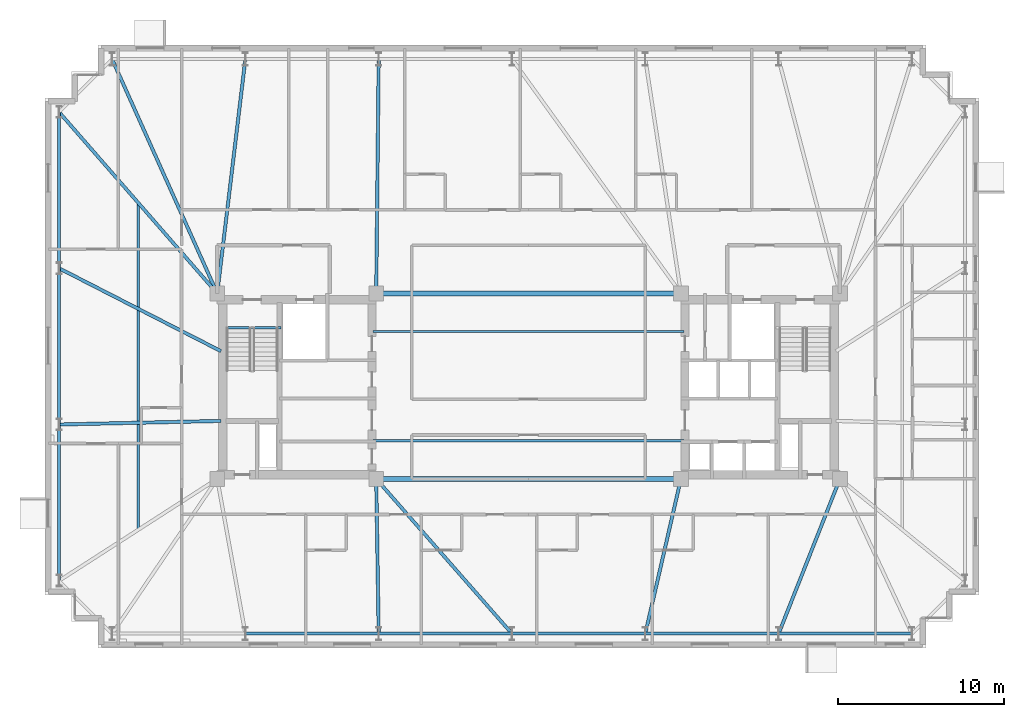
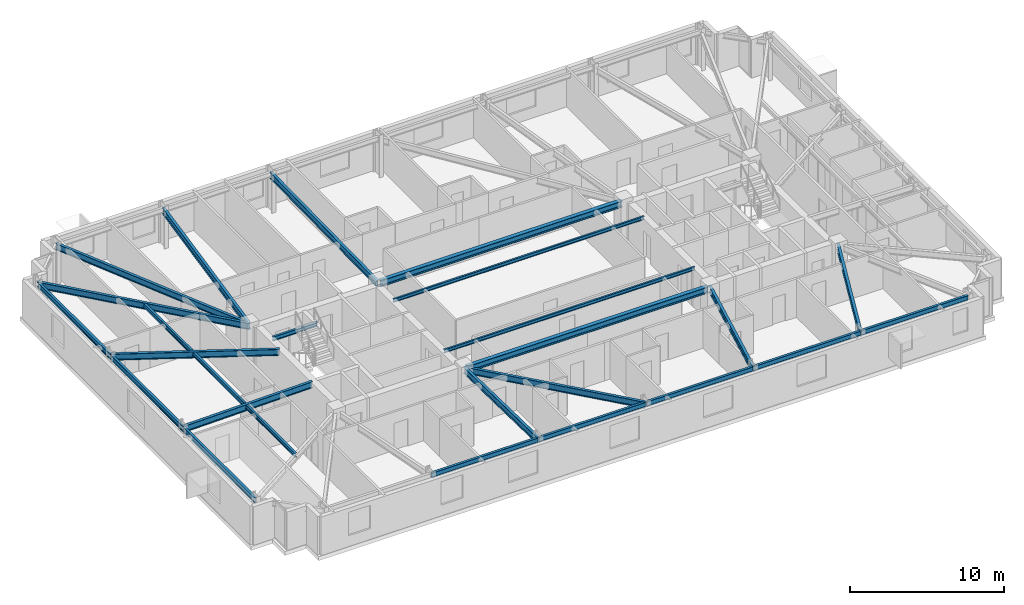
# One storey, part 4 of 17: 24 beams.
"""IFC4 building model written with IfcOpenShell, lengths in metres."""

from ifc_helpers import new_model, si_unit, direction, frame, origin, origin_2d, place, context, subcontext, project, spatial, i_section, extrude, material, material_profile, profile_set, type_object, element, save


model = new_model("IFC4")

# Units and contexts
model_context = context("Model", 3, precision=1e-05, world=origin(), true_north=direction((0.0, 1.0)))
body_context = subcontext(model_context, "Body", "Model", "MODEL_VIEW")
ifc_project = project(units=[si_unit("LENGTHUNIT", "METRE"), si_unit("AREAUNIT", "SQUARE_METRE"), si_unit("VOLUMEUNIT", "CUBIC_METRE"), si_unit("PLANEANGLEUNIT", "RADIAN"), si_unit("MASSUNIT", "GRAM", prefix="KILO")], contexts=[model_context])

# Site, building, storey
site_placement = place(None, origin())
site = spatial("IfcSite", under=ifc_project, at=site_placement, CompositionType="ELEMENT")
building_placement = place(site_placement, origin())
building = spatial("IfcBuilding", under=site, at=building_placement, Name="Qobustan Lattice House", CompositionType="ELEMENT")
storey_placement = place(building_placement, frame((0.0, 0.0, 157.800048828125)))
storey = spatial("IfcBuildingStorey", under=building, at=storey_placement, Name="L44", CompositionType="ELEMENT", Elevation=157.800048828125)

# Beams
ifc_material_1 = material(Name="Steel S355", Category="steel")
ifc_material_profile_1 = material_profile(ifc_material_1, i_section(OverallWidth=0.300048828125, OverallDepth=0.5, WebThickness=0.014404296875, FlangeThickness=0.028076171875, FilletRadius=0.027099609375, at=origin_2d()), Name="HEB500")
ifc_profile_set_1 = profile_set([ifc_material_profile_1], Name="Steel S355")
beam_type_1 = type_object("IfcBeamType", Name="BM-CG-HEB500", PredefinedType="USERDEFINED", material=ifc_profile_set_1)
for number, where, z_axis, x_axis, name in (
    (1, (-9.050048828125, -5.60009765625, 2.7900390625), (1.0, 0.0, 0.0), (0.0, 1.0, 0.0), "L44 core spine girder CG-CS"),
    (2, (-9.050048828125, 5.60009765625, 2.7900390625), (1.0, 0.0, 0.0), (0.0, 1.0, 0.0), "L44 core spine girder CG-CN"),
):
    element("IfcBeam", number, at=place(storey_placement, frame(where, z_axis=z_axis, x_axis=x_axis)), inside=storey, type_object=beam_type_1, Name=name, ObjectType="GIRDER", PredefinedType="USERDEFINED", context=body_context, shape_type="SweptSolid", body=[
        extrude(i_section(OverallWidth=0.300048828125, OverallDepth=0.5, WebThickness=0.014404296875, FlangeThickness=0.028076171875, FilletRadius=0.027099609375, at=origin_2d()), origin(), (0.0, 0.0, 1.0), 18.10009765625),
    ])
ifc_material_2 = material(Name="Steel S355", Category="steel")
ifc_material_profile_2 = material_profile(ifc_material_2, i_section(OverallWidth=0.199951171875, OverallDepth=0.5, WebThickness=0.01025390625, FlangeThickness=0.01611328125, FilletRadius=0.02099609375, at=origin_2d()), Name="IPE500")
ifc_profile_set_2 = profile_set([ifc_material_profile_2], Name="Steel S355")
beam_type_2 = type_object("IfcBeamType", Name="BM-FLG-IPE500", PredefinedType="USERDEFINED", material=ifc_profile_set_2)
beam_1_placement = place(storey_placement, frame((-9.05029296875, -14.925048828125, 2.7900390625), z_axis=(-0.016063870849, 0.999870967702, 0.0), x_axis=(-0.999870967702, -0.016063870849, 0.0)))
element("IfcBeam", 3, at=beam_1_placement, inside=storey, type_object=beam_type_2, Name="L44 primary floor girder RAD-S3", ObjectType="GIRDER", PredefinedType="USERDEFINED", context=body_context, shape_type="SweptSolid", body=[
    extrude(i_section(OverallWidth=0.199951171875, OverallDepth=0.5, WebThickness=0.01025390625, FlangeThickness=0.01611328125, FilletRadius=0.02099609375, at=origin_2d()), origin(), (0.0, 0.0, 1.0), 9.30126953125),
])
beam_2_placement = place(storey_placement, frame((-1.0166015625, -14.93115234375, 2.7900390625), z_axis=(-0.659362380156, 0.751825279992, 0.0), x_axis=(-0.751825279992, -0.659362380156, 0.0)))
element("IfcBeam", 4, at=beam_2_placement, inside=storey, type_object=beam_type_2, Name="L44 primary floor girder RAD-S4", ObjectType="GIRDER", PredefinedType="USERDEFINED", context=body_context, shape_type="SweptSolid", body=[
    extrude(i_section(OverallWidth=0.199951171875, OverallDepth=0.5, WebThickness=0.01025390625, FlangeThickness=0.01611328125, FilletRadius=0.02099609375, at=origin_2d()), origin(), (0.0, 0.0, 1.0), 12.38623046875),
])
beam_3_placement = place(storey_placement, frame((7.0556640625, -14.925537109375, 2.7900390625), z_axis=(0.224091568854, 0.974568093449, 0.0), x_axis=(-0.974568093449, 0.224091568854, 0.0)))
element("IfcBeam", 5, at=beam_3_placement, inside=storey, type_object=beam_type_2, Name="L44 primary floor girder RAD-S5", ObjectType="GIRDER", PredefinedType="USERDEFINED", context=body_context, shape_type="SweptSolid", body=[
    extrude(i_section(OverallWidth=0.199951171875, OverallDepth=0.5, WebThickness=0.01025390625, FlangeThickness=0.01611328125, FilletRadius=0.02099609375, at=origin_2d()), origin(), (0.0, 0.0, 1.0), 9.543701171875),
])
beam_4_placement = place(storey_placement, frame((15.109130859375, -14.9267578125, 2.7900390625), z_axis=(0.367963628184, 0.929840184297, 0.0), x_axis=(-0.929840184297, 0.367963628184, 0.0)))
element("IfcBeam", 6, at=beam_4_placement, inside=storey, type_object=beam_type_2, Name="L44 primary floor girder RAD-S6", ObjectType="GIRDER", PredefinedType="USERDEFINED", context=body_context, shape_type="SweptSolid", body=[
    extrude(i_section(OverallWidth=0.199951171875, OverallDepth=0.5, WebThickness=0.01025390625, FlangeThickness=0.01611328125, FilletRadius=0.02099609375, at=origin_2d()), origin(), (0.0, 0.0, 1.0), 10.00537109375),
])
beam_5_placement = place(storey_placement, frame((-25.139892578125, 19.727294921875, 2.7900390625), z_axis=(0.409426782108, -0.912342978321, 0.0), x_axis=(0.912342978321, 0.409426782108, 0.0)))
element("IfcBeam", 7, at=beam_5_placement, inside=storey, type_object=beam_type_2, Name="L44 primary floor girder RAD-N7W", ObjectType="GIRDER", PredefinedType="USERDEFINED", context=body_context, shape_type="SweptSolid", body=[
    extrude(i_section(OverallWidth=0.199951171875, OverallDepth=0.5, WebThickness=0.01025390625, FlangeThickness=0.01611328125, FilletRadius=0.02099609375, at=origin_2d()), origin(), (0.0, 0.0, 1.0), 15.459716796875),
])
beam_6_placement = place(storey_placement, frame((-17.10302734375, 19.72509765625, 2.7900390625), z_axis=(-0.119287572963, -0.992859745854, 0.0), x_axis=(0.992859745854, -0.119287572963, 0.0)))
element("IfcBeam", 8, at=beam_6_placement, inside=storey, type_object=beam_type_2, Name="L44 primary floor girder RAD-N6", ObjectType="GIRDER", PredefinedType="USERDEFINED", context=body_context, shape_type="SweptSolid", body=[
    extrude(i_section(OverallWidth=0.199951171875, OverallDepth=0.5, WebThickness=0.01025390625, FlangeThickness=0.01611328125, FilletRadius=0.02099609375, at=origin_2d()), origin(), (0.0, 0.0, 1.0), 14.20166015625),
])
beam_7_placement = place(storey_placement, frame((-9.05029296875, 19.72509765625, 2.7900390625), z_axis=(-0.010596073732, -0.999943860035, 0.0), x_axis=(0.999943860035, -0.010596073732, 0.0)))
element("IfcBeam", 9, at=beam_7_placement, inside=storey, type_object=beam_type_2, Name="L44 primary floor girder RAD-N5", ObjectType="GIRDER", PredefinedType="USERDEFINED", context=body_context, shape_type="SweptSolid", body=[
    extrude(i_section(OverallWidth=0.199951171875, OverallDepth=0.5, WebThickness=0.01025390625, FlangeThickness=0.01611328125, FilletRadius=0.02099609375, at=origin_2d()), origin(), (0.0, 0.0, 1.0), 14.100830078125),
])
beam_8_placement = place(storey_placement, frame((-28.33349609375, 16.53125, 2.7900390625), z_axis=(0.657282573618, -0.75364422536, 0.0), x_axis=(0.75364422536, 0.657282573618, 0.0)))
element("IfcBeam", 10, at=beam_8_placement, inside=storey, type_object=beam_type_2, Name="L44 primary floor girder RAD-W1", ObjectType="GIRDER", PredefinedType="USERDEFINED", context=body_context, shape_type="SweptSolid", body=[
    extrude(i_section(OverallWidth=0.199951171875, OverallDepth=0.5, WebThickness=0.01025390625, FlangeThickness=0.01611328125, FilletRadius=0.02099609375, at=origin_2d()), origin(), (0.0, 0.0, 1.0), 14.4794921875),
])
beam_9_placement = place(storey_placement, frame((-28.32763671875, 7.105224609375, 2.7900390625), z_axis=(0.89014541584, -0.455676572426, 0.0), x_axis=(0.455676572426, 0.89014541584, 0.0)))
element("IfcBeam", 11, at=beam_9_placement, inside=storey, type_object=beam_type_2, Name="L44 primary floor girder RAD-W2", ObjectType="GIRDER", PredefinedType="USERDEFINED", context=body_context, shape_type="SweptSolid", body=[
    extrude(i_section(OverallWidth=0.199951171875, OverallDepth=0.5, WebThickness=0.01025390625, FlangeThickness=0.01611328125, FilletRadius=0.02099609375, at=origin_2d()), origin(), (0.0, 0.0, 1.0), 10.959228515625),
])
beam_10_placement = place(storey_placement, frame((-28.324951171875, -2.316162109375, 2.7900390625), z_axis=(0.999755655209, 0.022104974047, 0.0), x_axis=(-0.022104974047, 0.999755655209, 0.0)))
element("IfcBeam", 12, at=beam_10_placement, inside=storey, type_object=beam_type_2, Name="L44 primary floor girder RAD-W3", ObjectType="GIRDER", PredefinedType="USERDEFINED", context=body_context, shape_type="SweptSolid", body=[
    extrude(i_section(OverallWidth=0.199951171875, OverallDepth=0.5, WebThickness=0.01025390625, FlangeThickness=0.01611328125, FilletRadius=0.02099609375, at=origin_2d()), origin(), (0.0, 0.0, 1.0), 9.75244140625),
])
ifc_material_3 = material(Name="Steel S355", Category="steel")
ifc_material_profile_3 = material_profile(ifc_material_3, i_section(OverallWidth=0.135009765625, OverallDepth=0.27001953125, WebThickness=0.006591796875, FlangeThickness=0.01025390625, FilletRadius=0.014892578125, at=origin_2d()), Name="IPE270")
ifc_profile_set_3 = profile_set([ifc_material_profile_3], Name="Steel S355")
beam_type_3 = type_object("IfcBeamType", Name="BM-JST-IPE270", PredefinedType="JOIST", material=ifc_profile_set_3)
for number, where, z_axis, x_axis, name in (
    (13, (-9.39990234375, -3.300048828125, 2.905029296875), (1.0, 0.0, 0.0), (0.0, 1.0, 0.0), "L44 central span floor joist 1"),
    (14, (-9.39990234375, 3.300048828125, 2.905029296875), (1.0, 0.0, 0.0), (0.0, 1.0, 0.0), "L44 central span floor joist 2"),
):
    element("IfcBeam", number, at=place(storey_placement, frame(where, z_axis=z_axis, x_axis=x_axis)), inside=storey, type_object=beam_type_3, Name=name, PredefinedType="JOIST", context=body_context, shape_type="SweptSolid", body=[
        extrude(i_section(OverallWidth=0.135009765625, OverallDepth=0.27001953125, WebThickness=0.006591796875, FlangeThickness=0.01025390625, FilletRadius=0.014892578125, at=origin_2d()), origin(), (0.0, 0.0, 1.0), 18.7998046875),
    ])
ifc_material_4 = material(Name="Steel S355", Category="steel")
ifc_material_profile_4 = material_profile(ifc_material_4, i_section(OverallWidth=0.159912109375, OverallDepth=0.330078125, WebThickness=0.007568359375, FlangeThickness=0.011474609375, FilletRadius=0.01806640625, at=origin_2d()), Name="IPE330")
ifc_profile_set_4 = profile_set([ifc_material_profile_4], Name="Steel S355")
beam_type_4 = type_object("IfcBeamType", Name="BM-SEC-IPE330", PredefinedType="BEAM", material=ifc_profile_set_4)
beam_11_placement = place(storey_placement, frame((-23.574951171875, 11.074951171875, 2.875), z_axis=(0.0, -1.0, 0.0), x_axis=(1.0, 0.0, 0.0)))
element("IfcBeam", 15, at=beam_11_placement, inside=storey, type_object=beam_type_4, Name="L44 west wing secondary beam", PredefinedType="BEAM", context=body_context, shape_type="SweptSolid", body=[
    extrude(i_section(OverallWidth=0.159912109375, OverallDepth=0.330078125, WebThickness=0.007568359375, FlangeThickness=0.011474609375, FilletRadius=0.01806640625, at=origin_2d()), origin(), (0.0, 0.0, 1.0), 19.75),
])
ifc_material_5 = material(Name="Steel S355", Category="steel")
ifc_material_profile_5 = material_profile(ifc_material_5, i_section(OverallWidth=0.159912109375, OverallDepth=0.330078125, WebThickness=0.007568359375, FlangeThickness=0.011474609375, FilletRadius=0.01806640625, at=origin_2d()), Name="IPE330")
ifc_profile_set_5 = profile_set([ifc_material_profile_5], Name="Steel S355")
beam_type_5 = type_object("IfcBeamType", Name="BM-SPD-IPE330", PredefinedType="SPANDREL", material=ifc_profile_set_5)
beam_12_placement = place(storey_placement, frame((-18.300048828125, 3.52001953125, 2.875), z_axis=(1.0, 0.0, 0.0), x_axis=(0.0, 1.0, 0.0)))
element("IfcBeam", 16, at=beam_12_placement, inside=storey, type_object=beam_type_5, Name="L44 west stair landing trimmer beam", PredefinedType="SPANDREL", context=body_context, shape_type="SweptSolid", body=[
    extrude(i_section(OverallWidth=0.159912109375, OverallDepth=0.330078125, WebThickness=0.007568359375, FlangeThickness=0.011474609375, FilletRadius=0.01806640625, at=origin_2d()), origin(), (0.0, 0.0, 1.0), 3.35009765625),
])
ifc_material_6 = material(Name="Steel S355", Category="steel")
ifc_material_profile_6 = material_profile(ifc_material_6, i_section(OverallWidth=0.179931640625, OverallDepth=0.39990234375, WebThickness=0.008544921875, FlangeThickness=0.013427734375, FilletRadius=0.02099609375, at=origin_2d()), Name="IPE400")
ifc_profile_set_6 = profile_set([ifc_material_profile_6], Name="Steel S355")
beam_type_6 = type_object("IfcBeamType", Name="BM-SPD-IPE400", PredefinedType="SPANDREL", material=ifc_profile_set_6)
for number, where, z_axis, x_axis, name in (
    (17, (-17.074951171875, -14.949951171875, 2.83984375), (1.0, 0.0, 0.0), (0.0, 1.0, 0.0), "L44 perimeter spandrel S2-S3"),
    (18, (-9.02490234375, -14.949951171875, 2.83984375), (1.0, 0.0, 0.0), (0.0, 1.0, 0.0), "L44 perimeter spandrel S3-S4"),
    (19, (-0.97509765625, -14.949951171875, 2.83984375), (1.0, 0.0, 0.0), (0.0, 1.0, 0.0), "L44 perimeter spandrel S4-S5"),
    (20, (7.074951171875, -14.949951171875, 2.83984375), (1.0, 0.0, 0.0), (0.0, 1.0, 0.0), "L44 perimeter spandrel S5-S6"),
    (21, (15.125, -14.949951171875, 2.83984375), (1.0, 0.0, 0.0), (0.0, 1.0, 0.0), "L44 perimeter spandrel S6-S7"),
):
    element("IfcBeam", number, at=place(storey_placement, frame(where, z_axis=z_axis, x_axis=x_axis)), inside=storey, type_object=beam_type_6, Name=name, PredefinedType="SPANDREL", context=body_context, shape_type="SweptSolid", body=[
        extrude(i_section(OverallWidth=0.179931640625, OverallDepth=0.39990234375, WebThickness=0.008544921875, FlangeThickness=0.013427734375, FilletRadius=0.02099609375, at=origin_2d()), origin(), (0.0, 0.0, 1.0), 8.0),
    ])
beam_13_placement = place(storey_placement, frame((-28.35009765625, 16.52490234375, 2.83984375), z_axis=(0.0, -1.0, 0.0), x_axis=(1.0, 0.0, 0.0)))
element("IfcBeam", 22, at=beam_13_placement, inside=storey, type_object=beam_type_6, Name="L44 perimeter spandrel W1-W2", PredefinedType="SPANDREL", context=body_context, shape_type="SweptSolid", body=[
    extrude(i_section(OverallWidth=0.179931640625, OverallDepth=0.39990234375, WebThickness=0.008544921875, FlangeThickness=0.013427734375, FilletRadius=0.02099609375, at=origin_2d()), origin(), (0.0, 0.0, 1.0), 9.38330078125),
])
beam_14_placement = place(storey_placement, frame((-28.35009765625, 7.091796875, 2.83984375), z_axis=(0.0, -1.0, 0.0), x_axis=(1.0, 0.0, 0.0)))
element("IfcBeam", 23, at=beam_14_placement, inside=storey, type_object=beam_type_6, Name="L44 perimeter spandrel W2-W3", PredefinedType="SPANDREL", context=body_context, shape_type="SweptSolid", body=[
    extrude(i_section(OverallWidth=0.179931640625, OverallDepth=0.39990234375, WebThickness=0.008544921875, FlangeThickness=0.013427734375, FilletRadius=0.02099609375, at=origin_2d()), origin(), (0.0, 0.0, 1.0), 9.383544921875),
])
beam_15_placement = place(storey_placement, frame((-28.35009765625, -2.341796875, 2.83984375), z_axis=(0.0, -1.0, 0.0), x_axis=(1.0, 0.0, 0.0)))
element("IfcBeam", 24, at=beam_15_placement, inside=storey, type_object=beam_type_6, Name="L44 perimeter spandrel W3-W4", PredefinedType="SPANDREL", context=body_context, shape_type="SweptSolid", body=[
    extrude(i_section(OverallWidth=0.179931640625, OverallDepth=0.39990234375, WebThickness=0.008544921875, FlangeThickness=0.013427734375, FilletRadius=0.02099609375, at=origin_2d()), origin(), (0.0, 0.0, 1.0), 9.38330078125),
])

save(model, "model.ifc")
